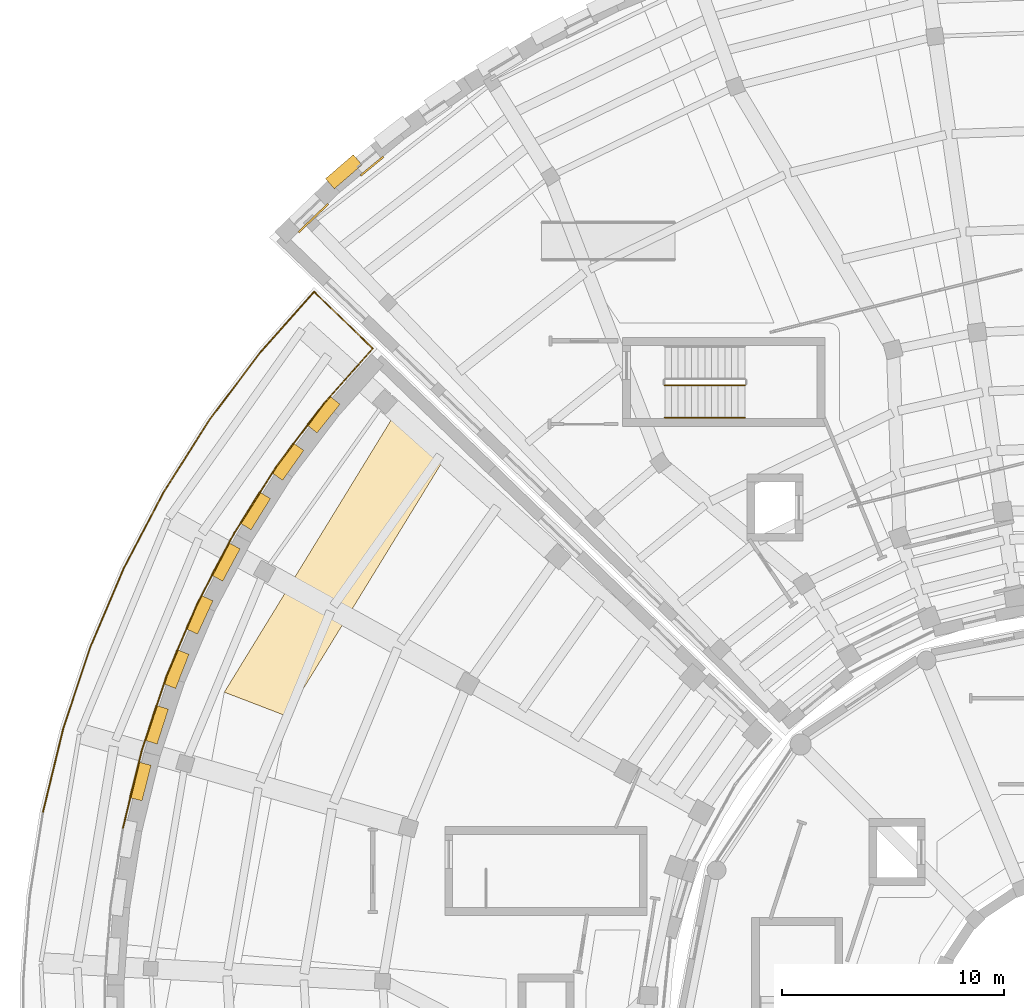
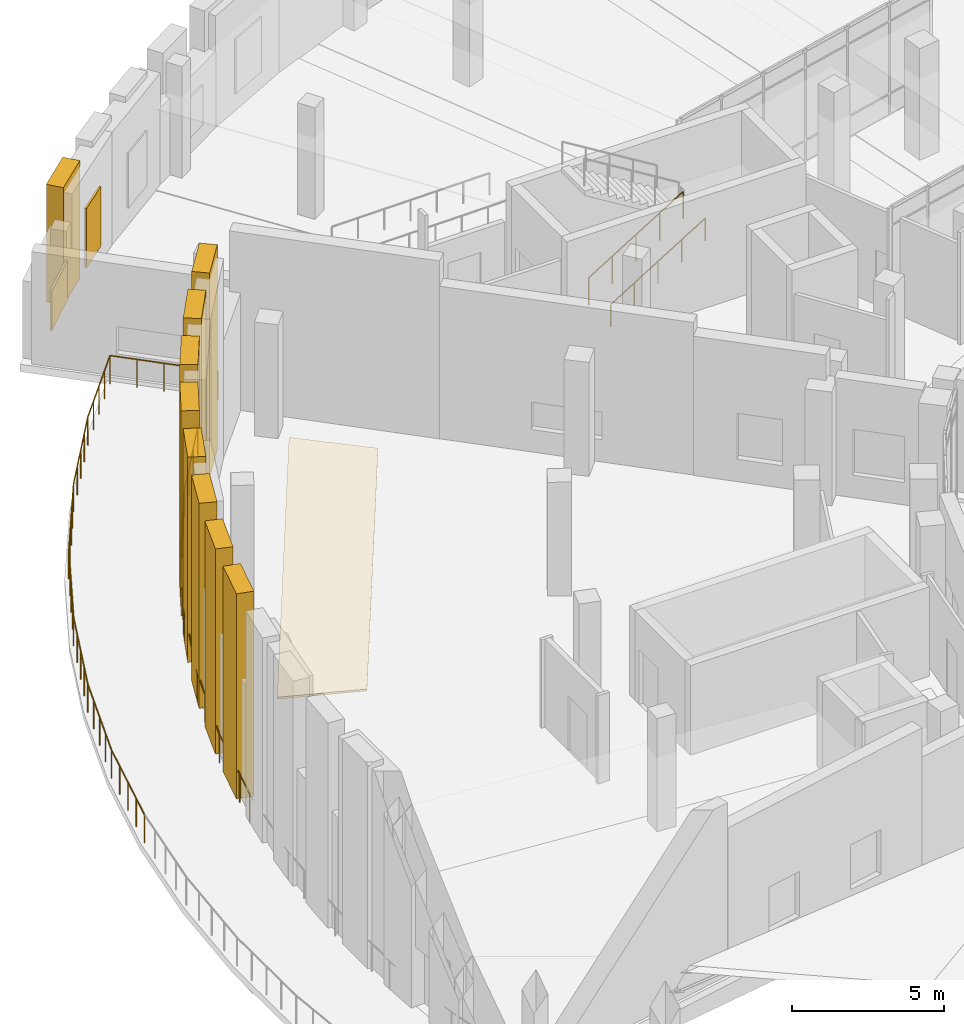
# One storey, part 66 of 75: 17 railings, 12 coverings.
"""IFC4 building model written with IfcOpenShell, lengths in metres."""

from ifc_helpers import new_model, si_unit, direction, frame, origin, origin_2d, place, context, subcontext, project, spatial, polyline, rectangle, circle, outline, extrude, material, layer, layer_set, type_object, element, save


model = new_model("IFC4")

# Units and contexts
model_context = context("Model", 3, precision=1e-05, world=origin(), true_north=direction((0.0, 1.0)))
body_context = subcontext(model_context, "Body", "Model", "MODEL_VIEW")
ifc_project = project(units=[si_unit("LENGTHUNIT", "METRE"), si_unit("AREAUNIT", "SQUARE_METRE"), si_unit("VOLUMEUNIT", "CUBIC_METRE"), si_unit("PLANEANGLEUNIT", "RADIAN"), si_unit("MASSUNIT", "GRAM", prefix="KILO")], contexts=[model_context])

# Site, building, storey
site_placement = place(None, origin())
site = spatial("IfcSite", under=ifc_project, at=site_placement, CompositionType="ELEMENT")
building_placement = place(site_placement, origin())
building = spatial("IfcBuilding", under=site, at=building_placement, Name="Soyqirgoq Riverine Aquarium", CompositionType="ELEMENT")
storey_placement = place(building_placement, frame((0.0, 0.0, 10.199951171875)))
storey = spatial("IfcBuildingStorey", under=building, at=storey_placement, Name="L03", CompositionType="ELEMENT", Elevation=10.199951171875)

# Coverings
ifc_material_1 = material(Name="Perforated anodised aluminium travertine-tone soffit", Category="masonry")
ifc_layer = layer(ifc_material_1, 0.080078125)
ifc_layer_set = layer_set([ifc_layer], Name="Perforated anodised aluminium travertine-tone soffit")
covering_type_1 = type_object("IfcCoveringType", Name="PrairieEaveSoffit_80", PredefinedType="CLADDING", material=ifc_layer_set)
covering_1_placement = place(storey_placement, frame((0.0, 0.0, -0.35986328125)))
element("IfcCovering", 1, at=covering_1_placement, inside=storey, type_object=covering_type_1, Name="V3 L03 Prairie Eave Travertine Soffit 03", PredefinedType="CLADDING", context=body_context, shape_type="SweptSolid", body=[
    extrude(outline(polyline([(27.760498046875, 82.427001953125), (25.531005859375, 84.434326171875), (17.72314453125, 71.693115234375), (20.52392578125, 70.617919921875), (27.760498046875, 82.427001953125)])), origin(), (0.0, 0.0, 1.0), 0.079833984375),
])
ifc_material_2 = material(Name="Anodised extruded aluminium sunshade", Category="aluminium")
covering_type_2 = type_object("IfcCoveringType", Name="SolarShadingLouvre_450", PredefinedType="USERDEFINED", material=ifc_material_2)
covering_2_placement = place(storey_placement, frame((21.72900390625, 93.0283203125, 0.75), z_axis=(0.0, 0.0, 1.0), x_axis=(0.721397723859, 0.692520991747, 0.0)))
element("IfcCovering", 2, at=covering_2_placement, inside=storey, type_object=covering_type_2, Name="V4 L03 Travertine Niche Solar Shade 0055", ObjectType="SOLAR_SHADING", PredefinedType="USERDEFINED", context=body_context, shape_type="SweptSolid", body=[
    extrude(rectangle(XDim=1.840087890625, YDim=0.080078125, at=origin_2d()), origin(), (0.0, 0.0, 1.0), 1.60009765625),
])
covering_3_placement = place(storey_placement, frame((24.37158203125, 95.3681640625, 0.75), z_axis=(0.0, 0.0, 1.0), x_axis=(0.771624583388, 0.636078220278, 0.0)))
element("IfcCovering", 3, at=covering_3_placement, inside=storey, type_object=covering_type_2, Name="V4 L03 Travertine Niche Solar Shade 0056", ObjectType="SOLAR_SHADING", PredefinedType="USERDEFINED", context=body_context, shape_type="SweptSolid", body=[
    extrude(rectangle(XDim=1.340087890625, YDim=0.080078125, at=origin_2d()), origin(), (0.0, 0.0, 1.0), 2.39990234375),
])

# Railings
ifc_material_3 = material(Name="Brushed stainless steel 316L tubular handrail", Category="steel")
railing_type_1 = type_object("IfcRailingType", Name="StairPitchHandrail_920", PredefinedType="HANDRAIL", material=ifc_material_3)
railing_1_placement = place(storey_placement, frame((37.550048828125, 84.050048828125, 0.1845703125)))
element("IfcRailing", 4, at=railing_1_placement, inside=storey, type_object=railing_type_1, Name="L03 ST-4 stair handrail 1", PredefinedType="HANDRAIL", context=body_context, shape_type="SweptSolid", body=[
    extrude(circle(Radius=0.02392578125, at=origin_2d()), frame((0.0, 0.0, 0.89990234375), z_axis=(0.851628569182, 0.0, 0.524145762315), x_axis=(0.0, 1.0, 0.0)), (0.0, 0.0, 1.0), 4.22705078125),
    extrude(circle(Radius=0.02099609375, at=origin_2d()), origin(), (0.0, 0.0, 1.0), 0.875732421875),
    extrude(circle(Radius=0.02099609375, at=origin_2d()), frame((0.89990234375, 0.0, 0.553955078125)), (0.0, 0.0, 1.0), 0.875732421875),
    extrude(circle(Radius=0.02099609375, at=origin_2d()), frame((1.7998046875, 0.0, 1.10791015625)), (0.0, 0.0, 1.0), 0.875732421875),
    extrude(circle(Radius=0.02099609375, at=origin_2d()), frame((2.699951171875, 0.0, 1.66162109375)), (0.0, 0.0, 1.0), 0.875732421875),
    extrude(circle(Radius=0.02099609375, at=origin_2d()), frame((3.599853515625, 0.0, 2.215576171875)), (0.0, 0.0, 1.0), 0.875732421875),
])
ifc_material_4 = material(Name="Painted steel infill stair-well guardrail", Category="steel")
railing_type_2 = type_object("IfcRailingType", Name="StairWellGuard_1120", PredefinedType="GUARDRAIL", material=ifc_material_4)
railing_2_placement = place(storey_placement, frame((37.550048828125, 85.5, 0.1845703125)))
element("IfcRailing", 5, at=railing_2_placement, inside=storey, type_object=railing_type_2, Name="L03 ST-4 stair guard 1", PredefinedType="GUARDRAIL", context=body_context, shape_type="SweptSolid", body=[
    extrude(circle(Radius=0.02392578125, at=origin_2d()), frame((0.0, 0.0, 1.09619140625), z_axis=(0.851628569182, 0.0, 0.524145762315), x_axis=(0.0, 1.0, 0.0)), (0.0, 0.0, 1.0), 4.22705078125),
    extrude(circle(Radius=0.02099609375, at=origin_2d()), origin(), (0.0, 0.0, 1.0), 1.072021484375),
    extrude(circle(Radius=0.02099609375, at=origin_2d()), frame((0.89990234375, 0.0, 0.553955078125)), (0.0, 0.0, 1.0), 1.072021484375),
    extrude(circle(Radius=0.02099609375, at=origin_2d()), frame((1.7998046875, 0.0, 1.10791015625)), (0.0, 0.0, 1.0), 1.072021484375),
    extrude(circle(Radius=0.02099609375, at=origin_2d()), frame((2.699951171875, 0.0, 1.66162109375)), (0.0, 0.0, 1.0), 1.072021484375),
    extrude(circle(Radius=0.02099609375, at=origin_2d()), frame((3.599853515625, 0.0, 2.215576171875)), (0.0, 0.0, 1.0), 1.072021484375),
])
ifc_material_5 = material(Name="Laminated safety glass and stainless steel balustrade", Category="steel")
railing_type_3 = type_object("IfcRailingType", Name="TerraceGuard_1150", PredefinedType="BALUSTRADE", material=ifc_material_5)
railing_3_placement = place(storey_placement, frame((20.06591796875, 81.85107421875, 0.0)))
element("IfcRailing", 6, at=railing_3_placement, inside=storey, type_object=railing_type_3, Name="V3 L03 Terrace Perimeter Balustrade 005", PredefinedType="BALUSTRADE", context=body_context, shape_type="SweptSolid", body=[
    extrude(circle(Radius=0.02392578125, at=origin_2d()), frame((0.0, 0.0, 1.1259765625), z_axis=(-0.534826745292, -0.844961746187, 0.0), x_axis=(0.844961746187, -0.534826745292, 0.0)), (0.0, 0.0, 1.0), 3.557373046875),
    extrude(circle(Radius=0.02099609375, at=origin_2d()), origin(), (0.0, 0.0, 1.0), 1.101806640625),
    extrude(circle(Radius=0.02099609375, at=origin_2d()), frame((-0.63427734375, -1.001953125, 0.0)), (0.0, 0.0, 1.0), 1.101806640625),
    extrude(circle(Radius=0.02099609375, at=origin_2d()), frame((-1.268310546875, -2.00390625, 0.0)), (0.0, 0.0, 1.0), 1.101806640625),
    extrude(circle(Radius=0.02099609375, at=origin_2d()), frame((-1.902587890625, -3.005859375, 0.0)), (0.0, 0.0, 1.0), 1.101806640625),
])
railing_4_placement = place(storey_placement, frame((18.163330078125, 78.84521484375, 0.0)))
element("IfcRailing", 7, at=railing_4_placement, inside=storey, type_object=railing_type_3, Name="V3 L03 Terrace Perimeter Balustrade 006", PredefinedType="BALUSTRADE", context=body_context, shape_type="SweptSolid", body=[
    extrude(circle(Radius=0.02392578125, at=origin_2d()), frame((0.0, 0.0, 1.1259765625), z_axis=(-0.464314678826, -0.88567029928, 0.0), x_axis=(0.88567029928, -0.464314678826, 0.0)), (0.0, 0.0, 1.0), 3.5576171875),
    extrude(circle(Radius=0.02099609375, at=origin_2d()), origin(), (0.0, 0.0, 1.0), 1.101806640625),
    extrude(circle(Radius=0.02099609375, at=origin_2d()), frame((-0.550537109375, -1.05029296875, 0.0)), (0.0, 0.0, 1.0), 1.101806640625),
    extrude(circle(Radius=0.02099609375, at=origin_2d()), frame((-1.101318359375, -2.1005859375, 0.0)), (0.0, 0.0, 1.0), 1.101806640625),
    extrude(circle(Radius=0.02099609375, at=origin_2d()), frame((-1.65185546875, -3.15087890625, 0.0)), (0.0, 0.0, 1.0), 1.101806640625),
])
railing_5_placement = place(storey_placement, frame((16.511474609375, 75.6943359375, 0.0)))
element("IfcRailing", 8, at=railing_5_placement, inside=storey, type_object=railing_type_3, Name="V3 L03 Terrace Perimeter Balustrade 007", PredefinedType="BALUSTRADE", context=body_context, shape_type="SweptSolid", body=[
    extrude(circle(Radius=0.02392578125, at=origin_2d()), frame((0.0, 0.0, 1.1259765625), z_axis=(-0.390736641604, -0.920502513255, 0.0), x_axis=(0.920502513255, -0.390736641604, 0.0)), (0.0, 0.0, 1.0), 3.5576171875),
    extrude(circle(Radius=0.02099609375, at=origin_2d()), origin(), (0.0, 0.0, 1.0), 1.101806640625),
    extrude(circle(Radius=0.02099609375, at=origin_2d()), frame((-0.46337890625, -1.091552734375, 0.0)), (0.0, 0.0, 1.0), 1.101806640625),
    extrude(circle(Radius=0.02099609375, at=origin_2d()), frame((-0.9267578125, -2.183349609375, 0.0)), (0.0, 0.0, 1.0), 1.101806640625),
    extrude(circle(Radius=0.02099609375, at=origin_2d()), frame((-1.39013671875, -3.27490234375, 0.0)), (0.0, 0.0, 1.0), 1.101806640625),
])
railing_6_placement = place(storey_placement, frame((15.121337890625, 72.41943359375, 0.0)))
element("IfcRailing", 9, at=railing_6_placement, inside=storey, type_object=railing_type_3, Name="V3 L03 Terrace Perimeter Balustrade 008", PredefinedType="BALUSTRADE", context=body_context, shape_type="SweptSolid", body=[
    extrude(circle(Radius=0.02392578125, at=origin_2d()), frame((0.0, 0.0, 1.1259765625), z_axis=(-0.314518435853, -0.949251364765, 0.0), x_axis=(0.949251364765, -0.314518435853, 0.0)), (0.0, 0.0, 1.0), 3.557373046875),
    extrude(circle(Radius=0.02099609375, at=origin_2d()), origin(), (0.0, 0.0, 1.0), 1.101806640625),
    extrude(circle(Radius=0.02099609375, at=origin_2d()), frame((-0.373046875, -1.125732421875, 0.0)), (0.0, 0.0, 1.0), 1.101806640625),
    extrude(circle(Radius=0.02099609375, at=origin_2d()), frame((-0.745849609375, -2.251220703125, 0.0)), (0.0, 0.0, 1.0), 1.101806640625),
    extrude(circle(Radius=0.02099609375, at=origin_2d()), frame((-1.118896484375, -3.376953125, 0.0)), (0.0, 0.0, 1.0), 1.101806640625),
])
railing_7_placement = place(storey_placement, frame((14.00244140625, 69.04248046875, 0.0)))
element("IfcRailing", 10, at=railing_7_placement, inside=storey, type_object=railing_type_3, Name="V3 L03 Terrace Perimeter Balustrade 009", PredefinedType="BALUSTRADE", context=body_context, shape_type="SweptSolid", body=[
    extrude(circle(Radius=0.02392578125, at=origin_2d()), frame((0.0, 0.0, 1.1259765625), z_axis=(-0.236281532029, -0.971684638976, 0.0), x_axis=(0.971684638976, -0.236281532029, 0.0)), (0.0, 0.0, 1.0), 3.5576171875),
    extrude(circle(Radius=0.02099609375, at=origin_2d()), origin(), (0.0, 0.0, 1.0), 1.101806640625),
    extrude(circle(Radius=0.02099609375, at=origin_2d()), frame((-0.2802734375, -1.15234375, 0.0)), (0.0, 0.0, 1.0), 1.101806640625),
    extrude(circle(Radius=0.02099609375, at=origin_2d()), frame((-0.560302734375, -2.304443359375, 0.0)), (0.0, 0.0, 1.0), 1.101806640625),
    extrude(circle(Radius=0.02099609375, at=origin_2d()), frame((-0.840576171875, -3.456787109375, 0.0)), (0.0, 0.0, 1.0), 1.101806640625),
])
railing_8_placement = place(storey_placement, frame((9.563720703125, 66.306884765625, 0.0)))
element("IfcRailing", 11, at=railing_8_placement, inside=storey, type_object=railing_type_3, Name="V3 L03 Terrace Perimeter Balustrade 022", PredefinedType="BALUSTRADE", context=body_context, shape_type="SweptSolid", body=[
    extrude(circle(Radius=0.02392578125, at=origin_2d()), frame((0.0, 0.0, 1.1259765625), z_axis=(0.236259500013, 0.971689996168, 0.0), x_axis=(-0.971689996168, 0.236259500013, 0.0)), (0.0, 0.0, 1.0), 3.8564453125),
    extrude(circle(Radius=0.02099609375, at=origin_2d()), origin(), (0.0, 0.0, 1.0), 1.101806640625),
    extrude(circle(Radius=0.02099609375, at=origin_2d()), frame((0.227783203125, 0.936767578125, 0.0)), (0.0, 0.0, 1.0), 1.101806640625),
    extrude(circle(Radius=0.02099609375, at=origin_2d()), frame((0.45556640625, 1.87353515625, 0.0)), (0.0, 0.0, 1.0), 1.101806640625),
    extrude(circle(Radius=0.02099609375, at=origin_2d()), frame((0.683349609375, 2.810546875, 0.0)), (0.0, 0.0, 1.0), 1.101806640625),
    extrude(circle(Radius=0.02099609375, at=origin_2d()), frame((0.9111328125, 3.747314453125, 0.0)), (0.0, 0.0, 1.0), 1.101806640625),
])
railing_9_placement = place(storey_placement, frame((10.474853515625, 70.05419921875, 0.0)))
element("IfcRailing", 12, at=railing_9_placement, inside=storey, type_object=railing_type_3, Name="V3 L03 Terrace Perimeter Balustrade 023", PredefinedType="BALUSTRADE", context=body_context, shape_type="SweptSolid", body=[
    extrude(circle(Radius=0.02392578125, at=origin_2d()), frame((0.0, 0.0, 1.1259765625), z_axis=(0.314536818524, 0.949245273779, 0.0), x_axis=(-0.949245273779, 0.314536818524, 0.0)), (0.0, 0.0, 1.0), 3.856201171875),
    extrude(circle(Radius=0.02099609375, at=origin_2d()), origin(), (0.0, 0.0, 1.0), 1.101806640625),
    extrude(circle(Radius=0.02099609375, at=origin_2d()), frame((0.30322265625, 0.9150390625, 0.0)), (0.0, 0.0, 1.0), 1.101806640625),
    extrude(circle(Radius=0.02099609375, at=origin_2d()), frame((0.6064453125, 1.830078125, 0.0)), (0.0, 0.0, 1.0), 1.101806640625),
    extrude(circle(Radius=0.02099609375, at=origin_2d()), frame((0.90966796875, 2.745361328125, 0.0)), (0.0, 0.0, 1.0), 1.101806640625),
    extrude(circle(Radius=0.02099609375, at=origin_2d()), frame((1.212890625, 3.660400390625, 0.0)), (0.0, 0.0, 1.0), 1.101806640625),
])
railing_10_placement = place(storey_placement, frame((11.687744140625, 73.714599609375, 0.0)))
element("IfcRailing", 13, at=railing_10_placement, inside=storey, type_object=railing_type_3, Name="V3 L03 Terrace Perimeter Balustrade 024", PredefinedType="BALUSTRADE", context=body_context, shape_type="SweptSolid", body=[
    extrude(circle(Radius=0.02392578125, at=origin_2d()), frame((0.0, 0.0, 1.1259765625), z_axis=(0.390738433157, 0.920501752771, 0.0), x_axis=(-0.920501752771, 0.390738433157, 0.0)), (0.0, 0.0, 1.0), 3.8564453125),
    extrude(circle(Radius=0.02099609375, at=origin_2d()), origin(), (0.0, 0.0, 1.0), 1.101806640625),
    extrude(circle(Radius=0.02099609375, at=origin_2d()), frame((0.376708984375, 0.887451171875, 0.0)), (0.0, 0.0, 1.0), 1.101806640625),
    extrude(circle(Radius=0.02099609375, at=origin_2d()), frame((0.75341796875, 1.77490234375, 0.0)), (0.0, 0.0, 1.0), 1.101806640625),
    extrude(circle(Radius=0.02099609375, at=origin_2d()), frame((1.130126953125, 2.662353515625, 0.0)), (0.0, 0.0, 1.0), 1.101806640625),
    extrude(circle(Radius=0.02099609375, at=origin_2d()), frame((1.5068359375, 3.5498046875, 0.0)), (0.0, 0.0, 1.0), 1.101806640625),
])
railing_11_placement = place(storey_placement, frame((13.194580078125, 77.264404296875, 0.0)))
element("IfcRailing", 14, at=railing_11_placement, inside=storey, type_object=railing_type_3, Name="V3 L03 Terrace Perimeter Balustrade 025", PredefinedType="BALUSTRADE", context=body_context, shape_type="SweptSolid", body=[
    extrude(circle(Radius=0.02392578125, at=origin_2d()), frame((0.0, 0.0, 1.1259765625), z_axis=(0.464300303448, 0.885677835456, 0.0), x_axis=(-0.885677835456, 0.464300303448, 0.0)), (0.0, 0.0, 1.0), 3.8564453125),
    extrude(circle(Radius=0.02099609375, at=origin_2d()), origin(), (0.0, 0.0, 1.0), 1.101806640625),
    extrude(circle(Radius=0.02099609375, at=origin_2d()), frame((0.44775390625, 0.85400390625, 0.0)), (0.0, 0.0, 1.0), 1.101806640625),
    extrude(circle(Radius=0.02099609375, at=origin_2d()), frame((0.895263671875, 1.707763671875, 0.0)), (0.0, 0.0, 1.0), 1.101806640625),
    extrude(circle(Radius=0.02099609375, at=origin_2d()), frame((1.3427734375, 2.5615234375, 0.0)), (0.0, 0.0, 1.0), 1.101806640625),
    extrude(circle(Radius=0.02099609375, at=origin_2d()), frame((1.79052734375, 3.41552734375, 0.0)), (0.0, 0.0, 1.0), 1.101806640625),
])
railing_12_placement = place(storey_placement, frame((14.985107421875, 80.679931640625, 0.0)))
element("IfcRailing", 15, at=railing_12_placement, inside=storey, type_object=railing_type_3, Name="V3 L03 Terrace Perimeter Balustrade 026", PredefinedType="BALUSTRADE", context=body_context, shape_type="SweptSolid", body=[
    extrude(circle(Radius=0.02392578125, at=origin_2d()), frame((0.0, 0.0, 1.1259765625), z_axis=(0.534821624047, 0.844964987708, 0.0), x_axis=(-0.844964987708, 0.534821624047, 0.0)), (0.0, 0.0, 1.0), 3.8564453125),
    extrude(circle(Radius=0.02099609375, at=origin_2d()), origin(), (0.0, 0.0, 1.0), 1.101806640625),
    extrude(circle(Radius=0.02099609375, at=origin_2d()), frame((0.515625, 0.814697265625, 0.0)), (0.0, 0.0, 1.0), 1.101806640625),
    extrude(circle(Radius=0.02099609375, at=origin_2d()), frame((1.03125, 1.62939453125, 0.0)), (0.0, 0.0, 1.0), 1.101806640625),
    extrude(circle(Radius=0.02099609375, at=origin_2d()), frame((1.546875, 2.44384765625, 0.0)), (0.0, 0.0, 1.0), 1.101806640625),
    extrude(circle(Radius=0.02099609375, at=origin_2d()), frame((2.0625, 3.258544921875, 0.0)), (0.0, 0.0, 1.0), 1.101806640625),
])
railing_13_placement = place(storey_placement, frame((17.047607421875, 83.9384765625, 0.0)))
element("IfcRailing", 16, at=railing_13_placement, inside=storey, type_object=railing_type_3, Name="V3 L03 Terrace Perimeter Balustrade 027", PredefinedType="BALUSTRADE", context=body_context, shape_type="SweptSolid", body=[
    extrude(circle(Radius=0.02392578125, at=origin_2d()), frame((0.0, 0.0, 1.1259765625), z_axis=(0.601811617464, 0.798638076406, 0.0), x_axis=(-0.798638076406, 0.601811617464, 0.0)), (0.0, 0.0, 1.0), 3.8564453125),
    extrude(circle(Radius=0.02099609375, at=origin_2d()), origin(), (0.0, 0.0, 1.0), 1.101806640625),
    extrude(circle(Radius=0.02099609375, at=origin_2d()), frame((0.580078125, 0.77001953125, 0.0)), (0.0, 0.0, 1.0), 1.101806640625),
    extrude(circle(Radius=0.02099609375, at=origin_2d()), frame((1.160400390625, 1.5400390625, 0.0)), (0.0, 0.0, 1.0), 1.101806640625),
    extrude(circle(Radius=0.02099609375, at=origin_2d()), frame((1.74072265625, 2.309814453125, 0.0)), (0.0, 0.0, 1.0), 1.101806640625),
    extrude(circle(Radius=0.02099609375, at=origin_2d()), frame((2.32080078125, 3.079833984375, 0.0)), (0.0, 0.0, 1.0), 1.101806640625),
])
railing_14_placement = place(storey_placement, frame((19.368408203125, 87.018310546875, 0.0)))
element("IfcRailing", 17, at=railing_14_placement, inside=storey, type_object=railing_type_3, Name="V3 L03 Terrace Perimeter Balustrade 028", PredefinedType="BALUSTRADE", context=body_context, shape_type="SweptSolid", body=[
    extrude(circle(Radius=0.02392578125, at=origin_2d()), frame((0.0, 0.0, 1.1259765625), z_axis=(0.664851164777, 0.746975855497, 0.0), x_axis=(-0.746975855497, 0.664851164777, 0.0)), (0.0, 0.0, 1.0), 3.60595703125),
    extrude(circle(Radius=0.02099609375, at=origin_2d()), origin(), (0.0, 0.0, 1.0), 1.101806640625),
    extrude(circle(Radius=0.02099609375, at=origin_2d()), frame((0.599365234375, 0.67333984375, 0.0)), (0.0, 0.0, 1.0), 1.101806640625),
    extrude(circle(Radius=0.02099609375, at=origin_2d()), frame((1.19873046875, 1.3466796875, 0.0)), (0.0, 0.0, 1.0), 1.101806640625),
    extrude(circle(Radius=0.02099609375, at=origin_2d()), frame((1.798095703125, 2.020263671875, 0.0)), (0.0, 0.0, 1.0), 1.101806640625),
    extrude(circle(Radius=0.02099609375, at=origin_2d()), frame((2.3974609375, 2.693603515625, 0.0)), (0.0, 0.0, 1.0), 1.101806640625),
])
railing_15_placement = place(storey_placement, frame((21.765869140625, 89.7119140625, 0.0)))
element("IfcRailing", 18, at=railing_15_placement, inside=storey, type_object=railing_type_3, Name="V3 L03 Terrace Perimeter Balustrade 029", PredefinedType="BALUSTRADE", context=body_context, shape_type="SweptSolid", body=[
    extrude(circle(Radius=0.02392578125, at=origin_2d()), frame((0.0, 0.0, 1.1259765625), z_axis=(0.719372801569, -0.69462419506, 0.0), x_axis=(0.69462419506, 0.719372801569, 0.0)), (0.0, 0.0, 1.0), 3.669677734375),
    extrude(circle(Radius=0.02099609375, at=origin_2d()), origin(), (0.0, 0.0, 1.0), 1.101806640625),
    extrude(circle(Radius=0.02099609375, at=origin_2d()), frame((0.659912109375, -0.63720703125, 0.0)), (0.0, 0.0, 1.0), 1.101806640625),
    extrude(circle(Radius=0.02099609375, at=origin_2d()), frame((1.31982421875, -1.2744140625, 0.0)), (0.0, 0.0, 1.0), 1.101806640625),
    extrude(circle(Radius=0.02099609375, at=origin_2d()), frame((1.97998046875, -1.911865234375, 0.0)), (0.0, 0.0, 1.0), 1.101806640625),
    extrude(circle(Radius=0.02099609375, at=origin_2d()), frame((2.639892578125, -2.549072265625, 0.0)), (0.0, 0.0, 1.0), 1.101806640625),
])
railing_16_placement = place(storey_placement, frame((24.40576171875, 87.162841796875, 0.0)))
element("IfcRailing", 19, at=railing_16_placement, inside=storey, type_object=railing_type_3, Name="V3 L03 Terrace Perimeter Balustrade 030", PredefinedType="BALUSTRADE", context=body_context, shape_type="SweptSolid", body=[
    extrude(circle(Radius=0.02392578125, at=origin_2d()), frame((0.0, 0.0, 1.1259765625), z_axis=(-0.664835601912, -0.746989707044, 0.0), x_axis=(0.746989707044, -0.664835601912, 0.0)), (0.0, 0.0, 1.0), 3.3076171875),
    extrude(circle(Radius=0.02099609375, at=origin_2d()), origin(), (0.0, 0.0, 1.0), 1.101806640625),
    extrude(circle(Radius=0.02099609375, at=origin_2d()), frame((-0.73291015625, -0.823486328125, 0.0)), (0.0, 0.0, 1.0), 1.101806640625),
    extrude(circle(Radius=0.02099609375, at=origin_2d()), frame((-1.466064453125, -1.647216796875, 0.0)), (0.0, 0.0, 1.0), 1.101806640625),
    extrude(circle(Radius=0.02099609375, at=origin_2d()), frame((-2.198974609375, -2.470703125, 0.0)), (0.0, 0.0, 1.0), 1.101806640625),
])
railing_17_placement = place(storey_placement, frame((22.206787109375, 84.692138671875, 0.0)))
element("IfcRailing", 20, at=railing_17_placement, inside=storey, type_object=railing_type_3, Name="V3 L03 Terrace Perimeter Balustrade 031", PredefinedType="BALUSTRADE", context=body_context, shape_type="SweptSolid", body=[
    extrude(circle(Radius=0.02392578125, at=origin_2d()), frame((0.0, 0.0, 1.1259765625), z_axis=(-0.601810274596, -0.798639088319, 0.0), x_axis=(0.798639088319, -0.601810274596, 0.0)), (0.0, 0.0, 1.0), 3.557373046875),
    extrude(circle(Radius=0.02099609375, at=origin_2d()), origin(), (0.0, 0.0, 1.0), 1.101806640625),
    extrude(circle(Radius=0.02099609375, at=origin_2d()), frame((-0.713623046875, -0.947021484375, 0.0)), (0.0, 0.0, 1.0), 1.101806640625),
    extrude(circle(Radius=0.02099609375, at=origin_2d()), frame((-1.42724609375, -1.89404296875, 0.0)), (0.0, 0.0, 1.0), 1.101806640625),
    extrude(circle(Radius=0.02099609375, at=origin_2d()), frame((-2.140869140625, -2.841064453125, 0.0)), (0.0, 0.0, 1.0), 1.101806640625),
])

# Coverings
ifc_material_6 = material(Name="Honed Uzbek travertine limestone vertical niche pier", Category="masonry")
covering_type_3 = type_object("IfcCoveringType", Name="TravertineNichePier_550", PredefinedType="CLADDING", material=ifc_material_6)
for number, where, z_axis, x_axis, name in (
    (21, (22.1767578125, 84.194580078125, 0.0), (0.0, 0.0, 1.0), (-0.779337964931, 0.626603811364, 0.0), "V3 L03 Travertine Vertical Niche Pier 049"),
    (22, (20.576416015625, 82.07421875, 0.0), (0.0, 0.0, 1.0), (-0.816238432831, 0.577715172702, 0.0), "V3 L03 Travertine Vertical Niche Pier 050"),
    (23, (19.1083984375, 79.860107421875, 0.0), (0.0, 0.0, 1.0), (-0.850076583478, 0.526659094883, 0.0), "V3 L03 Travertine Vertical Niche Pier 051"),
    (24, (17.779052734375, 77.56005859375, 0.0), (0.0, 0.0, 1.0), (-0.880642787868, 0.473780835594, 0.0), "V3 L03 Travertine Vertical Niche Pier 052"),
    (25, (16.5927734375, 75.18310546875, 0.0), (0.0, 0.0, 1.0), (-0.907996978683, 0.418976713794, 0.0), "V3 L03 Travertine Vertical Niche Pier 053"),
    (26, (15.553955078125, 72.738037109375, 0.0), (0.0, 0.0, 1.0), (-0.931944597717, 0.362600698822, 0.0), "V3 L03 Travertine Vertical Niche Pier 054"),
    (27, (14.6669921875, 70.23388671875, 0.0), (0.0, 0.0, 1.0), (-0.952395799643, 0.304864299028, 0.0), "V3 L03 Travertine Vertical Niche Pier 055"),
    (28, (13.934814453125, 67.68017578125, 0.0), (0.0, 0.0, 1.0), (-0.969230909707, 0.246153293029, 0.0), "V3 L03 Travertine Vertical Niche Pier 056"),
):
    element("IfcCovering", number, at=place(storey_placement, frame(where, z_axis=z_axis, x_axis=x_axis)), inside=storey, type_object=covering_type_3, Name=name, PredefinedType="CLADDING", context=body_context, shape_type="SweptSolid", body=[
        extrude(rectangle(XDim=0.60009765625, YDim=1.64990234375, at=origin_2d()), origin(), (0.0, 0.0, 1.0), 8.25),
    ])
covering_4_placement = place(storey_placement, frame((23.100341796875, 95.11474609375, 0.0), z_axis=(0.0, 0.0, 1.0), x_axis=(-0.65342060399, 0.756995055652, 0.0)))
element("IfcCovering", 29, at=covering_4_placement, inside=storey, type_object=covering_type_3, Name="V4 L03 Travertine Vertical Niche Pier 103", PredefinedType="CLADDING", context=body_context, shape_type="SweptSolid", body=[
    extrude(rectangle(XDim=0.60009765625, YDim=1.64990234375, at=origin_2d()), origin(), (0.0, 0.0, 1.0), 4.75),
])

save(model, "model.ifc")
